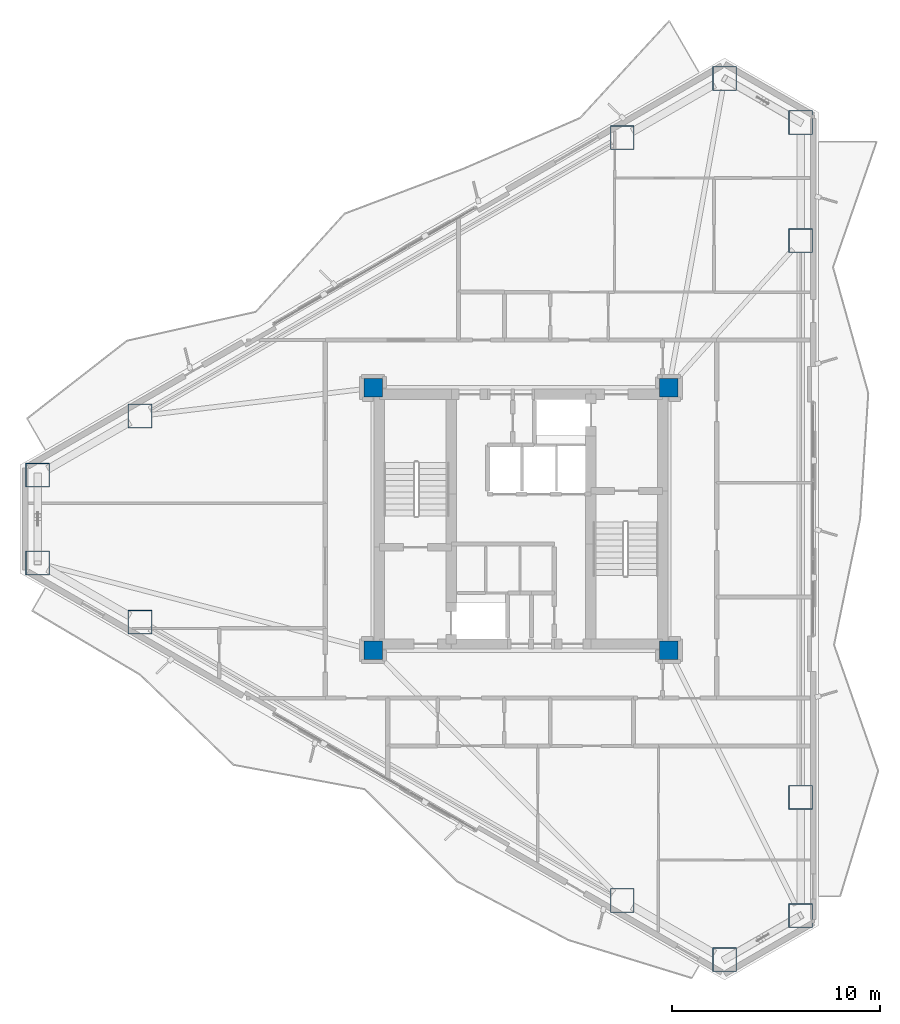
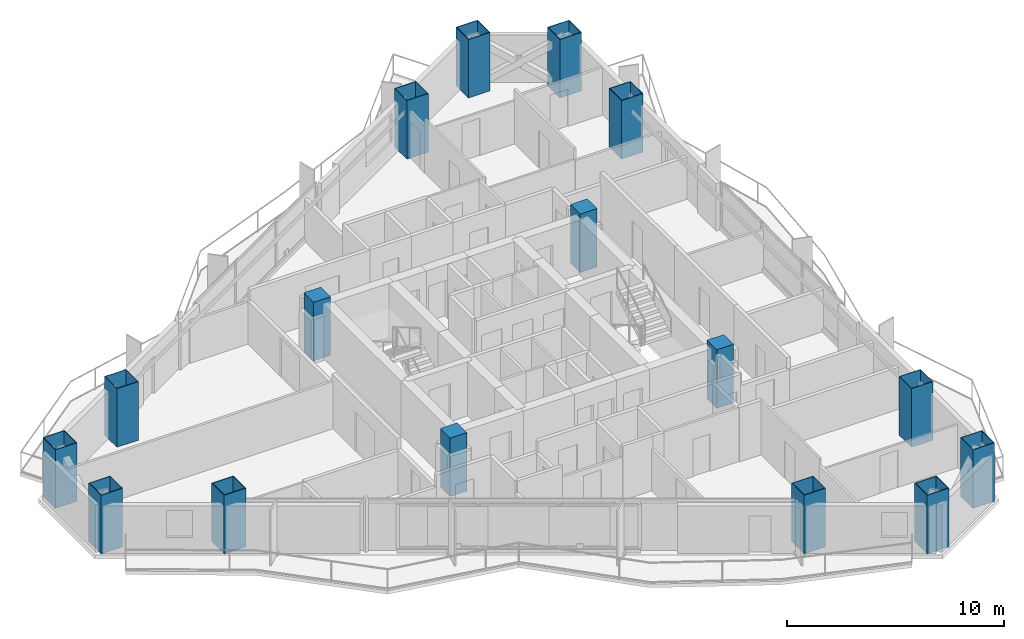
# One storey, part 1 of 22: 16 columns.
"""IFC4 building model written with IfcOpenShell, lengths in metres."""

from ifc_helpers import new_model, si_unit, direction, frame, origin, origin_2d, place, context, subcontext, project, spatial, rectangle, hollow_rectangle, extrude, material, material_profile, profile_set, type_object, element, save


model = new_model("IFC4")

# Units and contexts
model_context = context("Model", 3, precision=1e-05, world=origin(), true_north=direction((0.0, 1.0)))
body_context = subcontext(model_context, "Body", "Model", "MODEL_VIEW")
ifc_project = project(units=[si_unit("LENGTHUNIT", "METRE"), si_unit("AREAUNIT", "SQUARE_METRE"), si_unit("VOLUMEUNIT", "CUBIC_METRE"), si_unit("PLANEANGLEUNIT", "RADIAN"), si_unit("MASSUNIT", "GRAM", prefix="KILO")], contexts=[model_context])

# Site, building, storey
site_placement = place(None, origin())
site = spatial("IfcSite", under=ifc_project, at=site_placement, CompositionType="ELEMENT")
building_placement = place(site_placement, origin())
building = spatial("IfcBuilding", under=site, at=building_placement, Name="Mersakhor Tower and Convention Hall", CompositionType="ELEMENT")
storey_placement = place(building_placement, frame((0.0, 0.0, 90.0)))
storey = spatial("IfcBuildingStorey", under=building, at=storey_placement, Name="L24", CompositionType="ELEMENT", Elevation=90.0)

# Columns
ifc_material_1 = material(Name="Concrete C60/75 in S460M steel box", Category="concrete")
ifc_material_profile_1 = material_profile(ifc_material_1, hollow_rectangle(XDim=1.14990234375, YDim=1.14990234375, WallThickness=0.031982421875, at=origin_2d()), Name="SHS 1150x1150x32")
ifc_profile_set_1 = profile_set([ifc_material_profile_1], Name="Concrete C60/75 in S460M steel box")
column_type_1 = type_object("IfcColumnType", Name="COL-CFT-1150", PredefinedType="COLUMN", material=ifc_profile_set_1)
for number, where, z_axis, x_axis, name in (
    (1, (5.78662109375, 28.86083984375, 0.0), (0.0, 0.0, 1.0), (1.0, 0.0, 0.0), "L24 Perimeter Mega-Column MC-01"),
    (2, (10.702392578125, 31.698974609375, 0.0), (0.0, 0.0, 1.0), (1.0, 0.0, 0.0), "L24 Perimeter Mega-Column MC-02"),
    (3, (33.86279296875, 45.070556640625, 0.0), (0.0, 0.0, 1.0), (1.0, 0.0, 0.0), "L24 Perimeter Mega-Column MC-03"),
    (4, (38.77880859375, 47.90869140625, 0.0), (0.0, 0.0, 1.0), (1.0, 0.0, 0.0), "L24 Perimeter Mega-Column MC-04"),
    (5, (42.4345703125, 45.798095703125, 0.0), (0.0, 0.0, 1.0), (1.0, 0.0, 0.0), "L24 Perimeter Mega-Column MC-05"),
    (6, (42.4345703125, 40.12158203125, 0.0), (0.0, 0.0, 1.0), (1.0, 0.0, 0.0), "L24 Perimeter Mega-Column MC-06"),
    (7, (42.4345703125, 13.37841796875, 0.0), (0.0, 0.0, 1.0), (1.0, 0.0, 0.0), "L24 Perimeter Mega-Column MC-07"),
    (8, (42.4345703125, 7.701904296875, 0.0), (0.0, 0.0, 1.0), (1.0, 0.0, 0.0), "L24 Perimeter Mega-Column MC-08"),
    (9, (38.77880859375, 5.59130859375, 0.0), (0.0, 0.0, 1.0), (1.0, 0.0, 0.0), "L24 Perimeter Mega-Column MC-09"),
    (10, (33.86279296875, 8.429443359375, 0.0), (0.0, 0.0, 1.0), (1.0, 0.0, 0.0), "L24 Perimeter Mega-Column MC-10"),
    (11, (10.702392578125, 21.801025390625, 0.0), (0.0, 0.0, 1.0), (1.0, 0.0, 0.0), "L24 Perimeter Mega-Column MC-11"),
    (12, (5.78662109375, 24.63916015625, 0.0), (0.0, 0.0, 1.0), (1.0, 0.0, 0.0), "L24 Perimeter Mega-Column MC-12"),
):
    element("IfcColumn", number, at=place(storey_placement, frame(where, z_axis=z_axis, x_axis=x_axis)), inside=storey, type_object=column_type_1, Name=name, PredefinedType="COLUMN", context=body_context, shape_type="SweptSolid", body=[
        extrude(hollow_rectangle(XDim=1.14990234375, YDim=1.14990234375, WallThickness=0.031982421875, at=origin_2d()), origin(), (0.0, 0.0, 1.0), 3.300048828125),
    ])
ifc_material_2 = material(Name="Concrete C60/75", Category="concrete")
ifc_material_profile_2 = material_profile(ifc_material_2, rectangle(XDim=0.89990234375, YDim=0.89990234375, at=origin_2d()), Name="RC 900x900")
ifc_profile_set_2 = profile_set([ifc_material_profile_2], Name="Concrete C60/75")
column_type_2 = type_object("IfcColumnType", Name="COL-RC-900", PredefinedType="COLUMN", material=ifc_profile_set_2)
for number, where, z_axis, x_axis, name in (
    (13, (21.89990234375, 20.449951171875, 0.0), (0.0, 0.0, 1.0), (1.0, 0.0, 0.0), "L24 Core Corner Column CC-1"),
    (14, (21.89990234375, 33.050048828125, 0.0), (0.0, 0.0, 1.0), (1.0, 0.0, 0.0), "L24 Core Corner Column CC-2"),
    (15, (36.10009765625, 33.050048828125, 0.0), (0.0, 0.0, 1.0), (1.0, 0.0, 0.0), "L24 Core Corner Column CC-3"),
    (16, (36.10009765625, 20.449951171875, 0.0), (0.0, 0.0, 1.0), (1.0, 0.0, 0.0), "L24 Core Corner Column CC-4"),
):
    element("IfcColumn", number, at=place(storey_placement, frame(where, z_axis=z_axis, x_axis=x_axis)), inside=storey, type_object=column_type_2, Name=name, PredefinedType="COLUMN", context=body_context, shape_type="SweptSolid", body=[
        extrude(rectangle(XDim=0.89990234375, YDim=0.89990234375, at=origin_2d()), origin(), (0.0, 0.0, 1.0), 3.300048828125),
    ])

save(model, "model.ifc")
